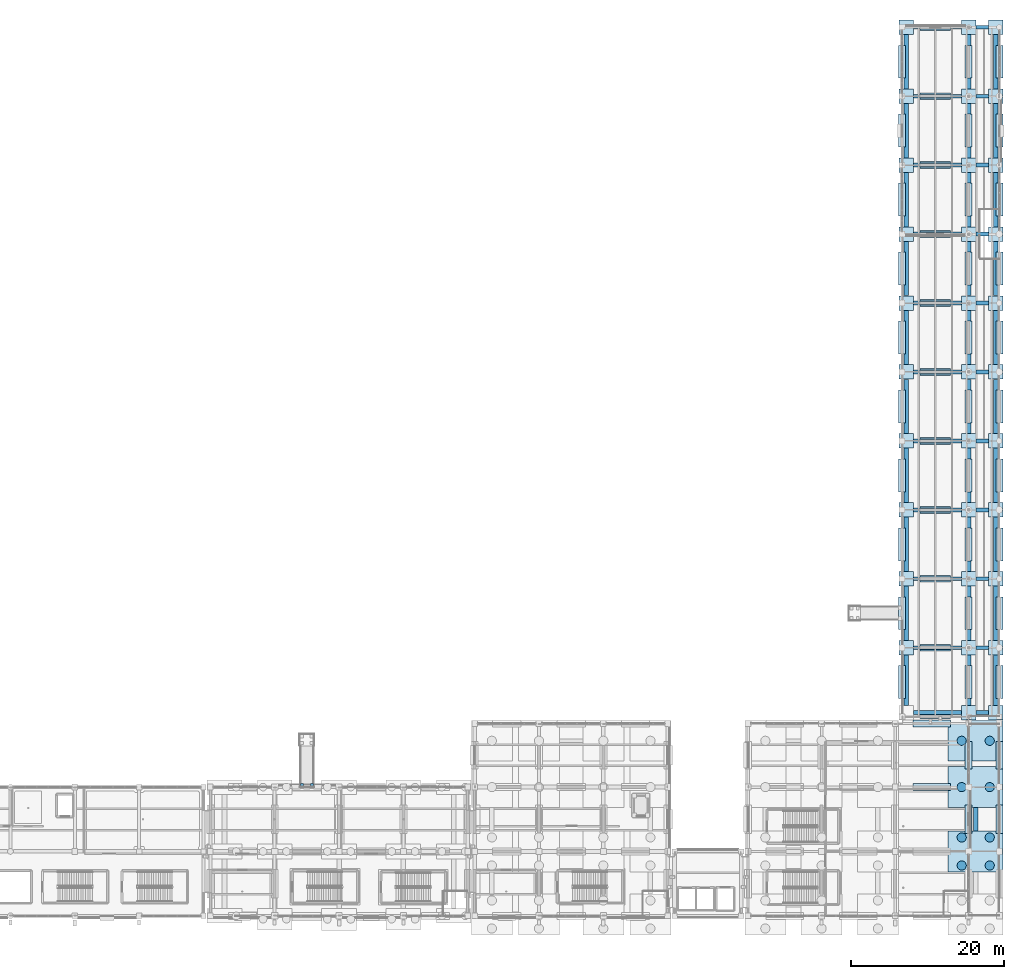
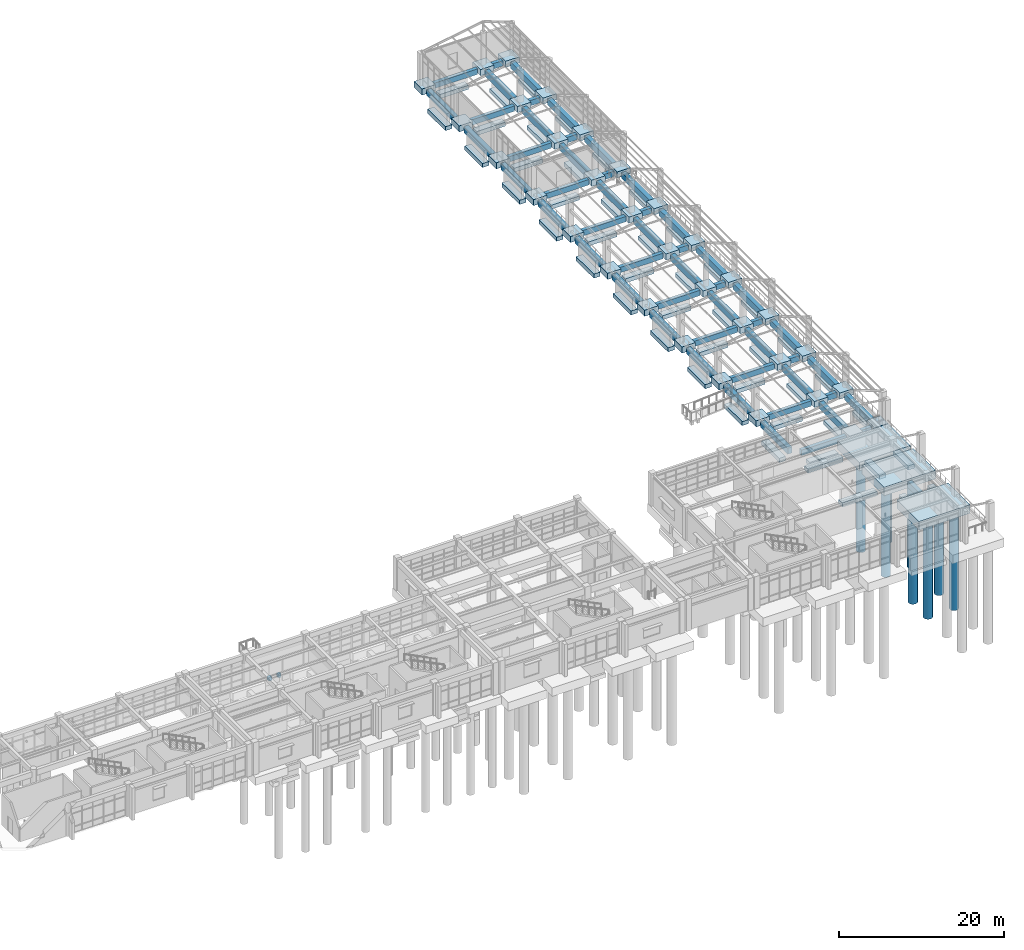
# One storey, part 3 of 111: 137 footings, 8 piles.
"""IFC4 building model written with IfcOpenShell, lengths in metres."""

from ifc_helpers import new_model, si_unit, direction, frame, origin, origin_2d, place, context, subcontext, project, spatial, rectangle, circle, extrude, material, material_profile, profile_set, type_object, element, save


model = new_model("IFC4")

# Units and contexts
model_context = context("Model", 3, precision=1e-05, world=origin(), true_north=direction((0.0, 1.0)))
body_context = subcontext(model_context, "Body", "Model", "MODEL_VIEW")
ifc_project = project(units=[si_unit("LENGTHUNIT", "METRE"), si_unit("AREAUNIT", "SQUARE_METRE"), si_unit("VOLUMEUNIT", "CUBIC_METRE"), si_unit("PLANEANGLEUNIT", "RADIAN"), si_unit("MASSUNIT", "GRAM", prefix="KILO")], contexts=[model_context])

# Site, building, storey
site_placement = place(None, origin())
site = spatial("IfcSite", under=ifc_project, at=site_placement, CompositionType="ELEMENT")
building_placement = place(site_placement, origin())
building = spatial("IfcBuilding", under=site, at=building_placement, Name="Canglan Escarpment Cableway Terminal", CompositionType="ELEMENT")
storey_placement = place(building_placement, frame((0.0, 0.0, 4.800048828125)))
storey = spatial("IfcBuildingStorey", under=building, at=storey_placement, Name="L01", CompositionType="ELEMENT", Elevation=4.800048828125)

# Footings
ifc_material = material(Name="Concrete C40", Category="concrete")
ifc_material_profile_1 = material_profile(ifc_material, rectangle(XDim=0.5, YDim=0.800048828125, at=origin_2d()), Name="FB 500x800")
ifc_profile_set_1 = profile_set([ifc_material_profile_1], Name="Concrete C40")
footing_type_1 = type_object("IfcFootingType", Name="FTG-BEAM-500x800", PredefinedType="FOOTING_BEAM", material=ifc_profile_set_1)
for number, where, z_axis, x_axis, name in (
    (1, (168.781982421875, 34.530029296875, -0.699951171875), (1.0, 0.0, 0.0), (0.0, 1.0, 0.0), "Reinforced concrete ground tie beam FB-01"),
    (2, (168.781982421875, 43.0, -0.699951171875), (1.0, 0.0, 0.0), (0.0, 1.0, 0.0), "Reinforced concrete ground tie beam FB-01"),
    (3, (168.781982421875, 52.0, -0.699951171875), (1.0, 0.0, 0.0), (0.0, 1.0, 0.0), "Reinforced concrete ground tie beam FB-01"),
    (4, (168.781982421875, 61.0, -0.699951171875), (1.0, 0.0, 0.0), (0.0, 1.0, 0.0), "Reinforced concrete ground tie beam FB-01"),
    (5, (168.781982421875, 70.0, -0.699951171875), (1.0, 0.0, 0.0), (0.0, 1.0, 0.0), "Reinforced concrete ground tie beam FB-01"),
    (6, (168.781982421875, 79.0, -0.699951171875), (1.0, 0.0, 0.0), (0.0, 1.0, 0.0), "Reinforced concrete ground tie beam FB-01"),
    (7, (168.781982421875, 88.0, -0.699951171875), (1.0, 0.0, 0.0), (0.0, 1.0, 0.0), "Reinforced concrete ground tie beam FB-01"),
    (8, (168.781982421875, 97.0, -0.699951171875), (1.0, 0.0, 0.0), (0.0, 1.0, 0.0), "Reinforced concrete ground tie beam FB-01"),
    (9, (168.781982421875, 106.0, -0.699951171875), (1.0, 0.0, 0.0), (0.0, 1.0, 0.0), "Reinforced concrete ground tie beam FB-01"),
    (10, (168.781982421875, 115.0, -0.699951171875), (1.0, 0.0, 0.0), (0.0, 1.0, 0.0), "Reinforced concrete ground tie beam FB-01"),
    (11, (168.781982421875, 124.0, -0.699951171875), (1.0, 0.0, 0.0), (0.0, 1.0, 0.0), "Reinforced concrete ground tie beam FB-01"),
):
    element("IfcFooting", number, at=place(storey_placement, frame(where, z_axis=z_axis, x_axis=x_axis)), inside=storey, type_object=footing_type_1, Name=name, PredefinedType="FOOTING_BEAM", context=body_context, shape_type="SweptSolid", body=[
        extrude(rectangle(XDim=0.5, YDim=0.800048828125, at=origin_2d()), origin(), (0.0, 0.0, 1.0), 6.26611328125),
    ])
for number, where, z_axis, x_axis, name in (
    (12, (176.951904296875, 34.530029296875, -0.699951171875), (1.0, 0.0, 0.0), (0.0, 1.0, 0.0), "Reinforced concrete ground tie beam FB-01"),
    (13, (176.951904296875, 43.0, -0.699951171875), (1.0, 0.0, 0.0), (0.0, 1.0, 0.0), "Reinforced concrete ground tie beam FB-01"),
    (14, (176.951904296875, 52.0, -0.699951171875), (1.0, 0.0, 0.0), (0.0, 1.0, 0.0), "Reinforced concrete ground tie beam FB-01"),
    (15, (176.951904296875, 61.0, -0.699951171875), (1.0, 0.0, 0.0), (0.0, 1.0, 0.0), "Reinforced concrete ground tie beam FB-01"),
    (16, (176.951904296875, 70.0, -0.699951171875), (1.0, 0.0, 0.0), (0.0, 1.0, 0.0), "Reinforced concrete ground tie beam FB-01"),
    (17, (176.951904296875, 79.0, -0.699951171875), (1.0, 0.0, 0.0), (0.0, 1.0, 0.0), "Reinforced concrete ground tie beam FB-01"),
    (18, (176.951904296875, 88.0, -0.699951171875), (1.0, 0.0, 0.0), (0.0, 1.0, 0.0), "Reinforced concrete ground tie beam FB-01"),
    (19, (176.951904296875, 97.0, -0.699951171875), (1.0, 0.0, 0.0), (0.0, 1.0, 0.0), "Reinforced concrete ground tie beam FB-01"),
    (20, (176.951904296875, 106.0, -0.699951171875), (1.0, 0.0, 0.0), (0.0, 1.0, 0.0), "Reinforced concrete ground tie beam FB-01"),
    (21, (176.951904296875, 115.0, -0.699951171875), (1.0, 0.0, 0.0), (0.0, 1.0, 0.0), "Reinforced concrete ground tie beam FB-01"),
    (22, (176.951904296875, 124.0, -0.699951171875), (1.0, 0.0, 0.0), (0.0, 1.0, 0.0), "Reinforced concrete ground tie beam FB-01"),
):
    element("IfcFooting", number, at=place(storey_placement, frame(where, z_axis=z_axis, x_axis=x_axis)), inside=storey, type_object=footing_type_1, Name=name, PredefinedType="FOOTING_BEAM", context=body_context, shape_type="SweptSolid", body=[
        extrude(rectangle(XDim=0.5, YDim=0.800048828125, at=origin_2d()), origin(), (0.0, 0.0, 1.0), 1.64599609375),
    ])
ifc_material_profile_2 = material_profile(ifc_material, rectangle(XDim=0.60009765625, YDim=0.89990234375, at=origin_2d()), Name="FB 600x900")
ifc_profile_set_2 = profile_set([ifc_material_profile_2], Name="Concrete C40")
footing_type_2 = type_object("IfcFootingType", Name="FTG-BEAM-600x900", PredefinedType="FOOTING_BEAM", material=ifc_profile_set_2)
footing_1_placement = place(storey_placement, frame((176.9150390625, 19.072021484375, -0.75), z_axis=(0.0, 1.0, 0.0), x_axis=(-1.0, 0.0, 0.0)))
element("IfcFooting", 23, at=footing_1_placement, inside=storey, type_object=footing_type_2, Name="Reinforced concrete ground tie beam FB-02", PredefinedType="FOOTING_BEAM", context=body_context, shape_type="SweptSolid", body=[
    extrude(rectangle(XDim=0.60009765625, YDim=0.89990234375, at=origin_2d()), origin(), (0.0, 0.0, 1.0), 3.055908203125),
])
footing_2_placement = place(storey_placement, frame((167.830078125, 35.48193359375, -0.75), z_axis=(0.0, 1.0, 0.0), x_axis=(-1.0, 0.0, 0.0)))
element("IfcFooting", 24, at=footing_2_placement, inside=storey, type_object=footing_type_2, Name="Reinforced concrete ground tie beam FB-02", PredefinedType="FOOTING_BEAM", context=body_context, shape_type="SweptSolid", body=[
    extrude(rectangle(XDim=0.60009765625, YDim=0.89990234375, at=origin_2d()), origin(), (0.0, 0.0, 1.0), 6.566162109375),
])
for number, where, z_axis, x_axis, name in (
    (25, (167.830078125, 43.951904296875, -0.75), (0.0, 1.0, 0.0), (-1.0, 0.0, 0.0), "Reinforced concrete ground tie beam FB-02"),
    (26, (167.830078125, 52.951904296875, -0.75), (0.0, 1.0, 0.0), (-1.0, 0.0, 0.0), "Reinforced concrete ground tie beam FB-02"),
    (27, (167.830078125, 61.951904296875, -0.75), (0.0, 1.0, 0.0), (-1.0, 0.0, 0.0), "Reinforced concrete ground tie beam FB-02"),
    (28, (167.830078125, 70.951904296875, -0.75), (0.0, 1.0, 0.0), (-1.0, 0.0, 0.0), "Reinforced concrete ground tie beam FB-02"),
    (29, (167.830078125, 79.951904296875, -0.75), (0.0, 1.0, 0.0), (-1.0, 0.0, 0.0), "Reinforced concrete ground tie beam FB-02"),
    (30, (167.830078125, 88.951904296875, -0.75), (0.0, 1.0, 0.0), (-1.0, 0.0, 0.0), "Reinforced concrete ground tie beam FB-02"),
    (31, (167.830078125, 97.951904296875, -0.75), (0.0, 1.0, 0.0), (-1.0, 0.0, 0.0), "Reinforced concrete ground tie beam FB-02"),
    (32, (167.830078125, 106.951904296875, -0.75), (0.0, 1.0, 0.0), (-1.0, 0.0, 0.0), "Reinforced concrete ground tie beam FB-02"),
    (33, (167.830078125, 115.951904296875, -0.75), (0.0, 1.0, 0.0), (-1.0, 0.0, 0.0), "Reinforced concrete ground tie beam FB-02"),
):
    element("IfcFooting", number, at=place(storey_placement, frame(where, z_axis=z_axis, x_axis=x_axis)), inside=storey, type_object=footing_type_2, Name=name, PredefinedType="FOOTING_BEAM", context=body_context, shape_type="SweptSolid", body=[
        extrude(rectangle(XDim=0.60009765625, YDim=0.89990234375, at=origin_2d()), origin(), (0.0, 0.0, 1.0), 7.09619140625),
    ])
footing_3_placement = place(storey_placement, frame((176.0, 35.48193359375, -0.75), z_axis=(0.0, 1.0, 0.0), x_axis=(-1.0, 0.0, 0.0)))
element("IfcFooting", 34, at=footing_3_placement, inside=storey, type_object=footing_type_2, Name="Reinforced concrete ground tie beam FB-02", PredefinedType="FOOTING_BEAM", context=body_context, shape_type="SweptSolid", body=[
    extrude(rectangle(XDim=0.60009765625, YDim=0.89990234375, at=origin_2d()), origin(), (0.0, 0.0, 1.0), 6.566162109375),
])
for number, where, z_axis, x_axis, name in (
    (35, (176.0, 43.951904296875, -0.75), (0.0, 1.0, 0.0), (-1.0, 0.0, 0.0), "Reinforced concrete ground tie beam FB-02"),
    (36, (176.0, 52.951904296875, -0.75), (0.0, 1.0, 0.0), (-1.0, 0.0, 0.0), "Reinforced concrete ground tie beam FB-02"),
    (37, (176.0, 61.951904296875, -0.75), (0.0, 1.0, 0.0), (-1.0, 0.0, 0.0), "Reinforced concrete ground tie beam FB-02"),
    (38, (176.0, 70.951904296875, -0.75), (0.0, 1.0, 0.0), (-1.0, 0.0, 0.0), "Reinforced concrete ground tie beam FB-02"),
    (39, (176.0, 79.951904296875, -0.75), (0.0, 1.0, 0.0), (-1.0, 0.0, 0.0), "Reinforced concrete ground tie beam FB-02"),
    (40, (176.0, 88.951904296875, -0.75), (0.0, 1.0, 0.0), (-1.0, 0.0, 0.0), "Reinforced concrete ground tie beam FB-02"),
    (41, (176.0, 97.951904296875, -0.75), (0.0, 1.0, 0.0), (-1.0, 0.0, 0.0), "Reinforced concrete ground tie beam FB-02"),
    (42, (176.0, 106.951904296875, -0.75), (0.0, 1.0, 0.0), (-1.0, 0.0, 0.0), "Reinforced concrete ground tie beam FB-02"),
    (43, (176.0, 115.951904296875, -0.75), (0.0, 1.0, 0.0), (-1.0, 0.0, 0.0), "Reinforced concrete ground tie beam FB-02"),
):
    element("IfcFooting", number, at=place(storey_placement, frame(where, z_axis=z_axis, x_axis=x_axis)), inside=storey, type_object=footing_type_2, Name=name, PredefinedType="FOOTING_BEAM", context=body_context, shape_type="SweptSolid", body=[
        extrude(rectangle(XDim=0.60009765625, YDim=0.89990234375, at=origin_2d()), origin(), (0.0, 0.0, 1.0), 7.09619140625),
    ])
footing_4_placement = place(storey_placement, frame((179.550048828125, 35.48193359375, -0.75), z_axis=(0.0, 1.0, 0.0), x_axis=(-1.0, 0.0, 0.0)))
element("IfcFooting", 44, at=footing_4_placement, inside=storey, type_object=footing_type_2, Name="Reinforced concrete ground tie beam FB-02", PredefinedType="FOOTING_BEAM", context=body_context, shape_type="SweptSolid", body=[
    extrude(rectangle(XDim=0.60009765625, YDim=0.89990234375, at=origin_2d()), origin(), (0.0, 0.0, 1.0), 6.566162109375),
])
for number, where, z_axis, x_axis, name in (
    (45, (179.550048828125, 43.951904296875, -0.75), (0.0, 1.0, 0.0), (-1.0, 0.0, 0.0), "Reinforced concrete ground tie beam FB-02"),
    (46, (179.550048828125, 52.951904296875, -0.75), (0.0, 1.0, 0.0), (-1.0, 0.0, 0.0), "Reinforced concrete ground tie beam FB-02"),
    (47, (179.550048828125, 61.951904296875, -0.75), (0.0, 1.0, 0.0), (-1.0, 0.0, 0.0), "Reinforced concrete ground tie beam FB-02"),
    (48, (179.550048828125, 70.951904296875, -0.75), (0.0, 1.0, 0.0), (-1.0, 0.0, 0.0), "Reinforced concrete ground tie beam FB-02"),
    (49, (179.550048828125, 79.951904296875, -0.75), (0.0, 1.0, 0.0), (-1.0, 0.0, 0.0), "Reinforced concrete ground tie beam FB-02"),
    (50, (179.550048828125, 88.951904296875, -0.75), (0.0, 1.0, 0.0), (-1.0, 0.0, 0.0), "Reinforced concrete ground tie beam FB-02"),
    (51, (179.550048828125, 97.951904296875, -0.75), (0.0, 1.0, 0.0), (-1.0, 0.0, 0.0), "Reinforced concrete ground tie beam FB-02"),
    (52, (179.550048828125, 106.951904296875, -0.75), (0.0, 1.0, 0.0), (-1.0, 0.0, 0.0), "Reinforced concrete ground tie beam FB-02"),
    (53, (179.550048828125, 115.951904296875, -0.75), (0.0, 1.0, 0.0), (-1.0, 0.0, 0.0), "Reinforced concrete ground tie beam FB-02"),
):
    element("IfcFooting", number, at=place(storey_placement, frame(where, z_axis=z_axis, x_axis=x_axis)), inside=storey, type_object=footing_type_2, Name=name, PredefinedType="FOOTING_BEAM", context=body_context, shape_type="SweptSolid", body=[
        extrude(rectangle(XDim=0.60009765625, YDim=0.89990234375, at=origin_2d()), origin(), (0.0, 0.0, 1.0), 7.09619140625),
    ])
footing_type_3 = type_object("IfcFootingType", Name="FTG-CAP-7170x5340x1260", PredefinedType="PILE_CAP", material=ifc_material)
for number, where, z_axis, x_axis, name in (
    (54, (176.9150390625, 16.39990234375, -1.26025390625), (0.0, 0.0, 1.0), (1.0, 0.0, 0.0), "Reinforced concrete pile cap PC-09"),
    (55, (176.9150390625, 24.800048828125, -1.26025390625), (0.0, 0.0, 1.0), (1.0, 0.0, 0.0), "Reinforced concrete pile cap PC-09"),
    (56, (176.9150390625, 30.85009765625, -1.26025390625), (0.0, 0.0, 1.0), (1.0, 0.0, 0.0), "Reinforced concrete pile cap PC-09"),
):
    element("IfcFooting", number, at=place(storey_placement, frame(where, z_axis=z_axis, x_axis=x_axis)), inside=storey, type_object=footing_type_3, Name=name, PredefinedType="PILE_CAP", context=body_context, shape_type="SweptSolid", body=[
        extrude(rectangle(XDim=7.169921875, YDim=5.340087890625, at=origin_2d()), origin(), (0.0, 0.0, 1.0), 1.260009765625),
    ])
footing_type_4 = type_object("IfcFootingType", Name="FTG-PAD-1900x1900x900", PredefinedType="PAD_FOOTING", material=ifc_material)
for number, where, z_axis, x_axis, name in (
    (57, (167.830078125, 43.0, -0.89990234375), (0.0, 0.0, 1.0), (1.0, 0.0, 0.0), "Reinforced concrete pad footing PF-01"),
    (58, (167.830078125, 52.0, -0.89990234375), (0.0, 0.0, 1.0), (1.0, 0.0, 0.0), "Reinforced concrete pad footing PF-01"),
    (59, (167.830078125, 61.0, -0.89990234375), (0.0, 0.0, 1.0), (1.0, 0.0, 0.0), "Reinforced concrete pad footing PF-01"),
    (60, (167.830078125, 70.0, -0.89990234375), (0.0, 0.0, 1.0), (1.0, 0.0, 0.0), "Reinforced concrete pad footing PF-01"),
    (61, (167.830078125, 79.0, -0.89990234375), (0.0, 0.0, 1.0), (1.0, 0.0, 0.0), "Reinforced concrete pad footing PF-01"),
    (62, (167.830078125, 88.0, -0.89990234375), (0.0, 0.0, 1.0), (1.0, 0.0, 0.0), "Reinforced concrete pad footing PF-01"),
    (63, (167.830078125, 97.0, -0.89990234375), (0.0, 0.0, 1.0), (1.0, 0.0, 0.0), "Reinforced concrete pad footing PF-01"),
    (64, (167.830078125, 106.0, -0.89990234375), (0.0, 0.0, 1.0), (1.0, 0.0, 0.0), "Reinforced concrete pad footing PF-01"),
    (65, (167.830078125, 115.0, -0.89990234375), (0.0, 0.0, 1.0), (1.0, 0.0, 0.0), "Reinforced concrete pad footing PF-01"),
    (66, (167.830078125, 124.0, -0.89990234375), (0.0, 0.0, 1.0), (1.0, 0.0, 0.0), "Reinforced concrete pad footing PF-01"),
    (67, (176.0, 34.530029296875, -0.89990234375), (0.0, 0.0, 1.0), (1.0, 0.0, 0.0), "Reinforced concrete pad footing PF-01"),
    (68, (176.0, 43.0, -0.89990234375), (0.0, 0.0, 1.0), (1.0, 0.0, 0.0), "Reinforced concrete pad footing PF-01"),
    (69, (176.0, 52.0, -0.89990234375), (0.0, 0.0, 1.0), (1.0, 0.0, 0.0), "Reinforced concrete pad footing PF-01"),
    (70, (176.0, 61.0, -0.89990234375), (0.0, 0.0, 1.0), (1.0, 0.0, 0.0), "Reinforced concrete pad footing PF-01"),
    (71, (176.0, 70.0, -0.89990234375), (0.0, 0.0, 1.0), (1.0, 0.0, 0.0), "Reinforced concrete pad footing PF-01"),
    (72, (176.0, 79.0, -0.89990234375), (0.0, 0.0, 1.0), (1.0, 0.0, 0.0), "Reinforced concrete pad footing PF-01"),
    (73, (176.0, 88.0, -0.89990234375), (0.0, 0.0, 1.0), (1.0, 0.0, 0.0), "Reinforced concrete pad footing PF-01"),
    (74, (176.0, 97.0, -0.89990234375), (0.0, 0.0, 1.0), (1.0, 0.0, 0.0), "Reinforced concrete pad footing PF-01"),
    (75, (176.0, 106.0, -0.89990234375), (0.0, 0.0, 1.0), (1.0, 0.0, 0.0), "Reinforced concrete pad footing PF-01"),
    (76, (176.0, 115.0, -0.89990234375), (0.0, 0.0, 1.0), (1.0, 0.0, 0.0), "Reinforced concrete pad footing PF-01"),
    (77, (176.0, 124.0, -0.89990234375), (0.0, 0.0, 1.0), (1.0, 0.0, 0.0), "Reinforced concrete pad footing PF-01"),
    (78, (179.550048828125, 34.530029296875, -0.89990234375), (0.0, 0.0, 1.0), (1.0, 0.0, 0.0), "Reinforced concrete pad footing PF-01"),
    (79, (179.550048828125, 43.0, -0.89990234375), (0.0, 0.0, 1.0), (1.0, 0.0, 0.0), "Reinforced concrete pad footing PF-01"),
    (80, (179.550048828125, 52.0, -0.89990234375), (0.0, 0.0, 1.0), (1.0, 0.0, 0.0), "Reinforced concrete pad footing PF-01"),
    (81, (179.550048828125, 61.0, -0.89990234375), (0.0, 0.0, 1.0), (1.0, 0.0, 0.0), "Reinforced concrete pad footing PF-01"),
    (82, (179.550048828125, 70.0, -0.89990234375), (0.0, 0.0, 1.0), (1.0, 0.0, 0.0), "Reinforced concrete pad footing PF-01"),
    (83, (179.550048828125, 79.0, -0.89990234375), (0.0, 0.0, 1.0), (1.0, 0.0, 0.0), "Reinforced concrete pad footing PF-01"),
    (84, (179.550048828125, 88.0, -0.89990234375), (0.0, 0.0, 1.0), (1.0, 0.0, 0.0), "Reinforced concrete pad footing PF-01"),
    (85, (179.550048828125, 97.0, -0.89990234375), (0.0, 0.0, 1.0), (1.0, 0.0, 0.0), "Reinforced concrete pad footing PF-01"),
    (86, (179.550048828125, 106.0, -0.89990234375), (0.0, 0.0, 1.0), (1.0, 0.0, 0.0), "Reinforced concrete pad footing PF-01"),
    (87, (179.550048828125, 115.0, -0.89990234375), (0.0, 0.0, 1.0), (1.0, 0.0, 0.0), "Reinforced concrete pad footing PF-01"),
    (88, (179.550048828125, 124.0, -0.89990234375), (0.0, 0.0, 1.0), (1.0, 0.0, 0.0), "Reinforced concrete pad footing PF-01"),
):
    element("IfcFooting", number, at=place(storey_placement, frame(where, z_axis=z_axis, x_axis=x_axis)), inside=storey, type_object=footing_type_4, Name=name, PredefinedType="PAD_FOOTING", context=body_context, shape_type="SweptSolid", body=[
        extrude(rectangle(XDim=1.89990234375, YDim=1.89990234375, at=origin_2d()), origin(), (0.0, 0.0, 1.0), 0.89990234375),
    ])
footing_type_5 = type_object("IfcFootingType", Name="FTG-PAD-420x420x550", PredefinedType="PAD_FOOTING", material=ifc_material)
for number, where, z_axis, x_axis, name in (
    (89, (88.949951171875, 25.050048828125, -0.75), (0.0, 0.0, 1.0), (1.0, 0.0, 0.0), "Reinforced concrete auxiliary pad footing PF-13"),
    (90, (90.25, 25.050048828125, -0.75), (0.0, 0.0, 1.0), (1.0, 0.0, 0.0), "Reinforced concrete auxiliary pad footing PF-13"),
):
    element("IfcFooting", number, at=place(storey_placement, frame(where, z_axis=z_axis, x_axis=x_axis)), inside=storey, type_object=footing_type_5, Name=name, PredefinedType="PAD_FOOTING", context=body_context, shape_type="SweptSolid", body=[
        extrude(rectangle(XDim=0.419921875, YDim=0.419921875, at=origin_2d()), origin(), (0.0, 0.0, 1.0), 0.550048828125),
    ])
ifc_material_profile_3 = material_profile(ifc_material, rectangle(XDim=0.89990234375, YDim=0.60009765625, at=origin_2d()), Name="SF 900x600")
ifc_profile_set_3 = profile_set([ifc_material_profile_3], Name="Concrete C40")
footing_type_6 = type_object("IfcFootingType", Name="FTG-STRIP-900x600", PredefinedType="STRIP_FOOTING", material=ifc_profile_set_3)
for number, where, z_axis, x_axis, name in (
    (91, (168.75, 24.800048828125, -2.400146484375), (1.0, 0.0, 0.0), (0.0, 1.0, 0.0), "Bench foundation strip footing SF-F1"),
    (92, (168.75, 33.10009765625, -2.400146484375), (1.0, 0.0, 0.0), (0.0, 1.0, 0.0), "Bench foundation strip footing SF-F1"),
):
    element("IfcFooting", number, at=place(storey_placement, frame(where, z_axis=z_axis, x_axis=x_axis)), inside=storey, type_object=footing_type_6, Name=name, PredefinedType="STRIP_FOOTING", context=body_context, shape_type="SweptSolid", body=[
        extrude(rectangle(XDim=0.89990234375, YDim=0.60009765625, at=origin_2d()), origin(), (0.0, 0.0, 1.0), 4.89990234375),
    ])
footing_5_placement = place(storey_placement, frame((176.0, 18.75, -2.400146484375), z_axis=(0.0, 1.0, 0.0), x_axis=(-1.0, 0.0, 0.0)))
element("IfcFooting", 93, at=footing_5_placement, inside=storey, type_object=footing_type_6, Name="Bench foundation strip footing SF-F1", PredefinedType="STRIP_FOOTING", context=body_context, shape_type="SweptSolid", body=[
    extrude(rectangle(XDim=0.89990234375, YDim=0.60009765625, at=origin_2d()), origin(), (0.0, 0.0, 1.0), 3.699951171875),
])
footing_6_placement = place(storey_placement, frame((176.0, 27.14990234375, -2.400146484375), z_axis=(0.0, 1.0, 0.0), x_axis=(-1.0, 0.0, 0.0)))
element("IfcFooting", 94, at=footing_6_placement, inside=storey, type_object=footing_type_6, Name="Bench foundation strip footing SF-F1", PredefinedType="STRIP_FOOTING", context=body_context, shape_type="SweptSolid", body=[
    extrude(rectangle(XDim=0.89990234375, YDim=0.60009765625, at=origin_2d()), origin(), (0.0, 0.0, 1.0), 3.60009765625),
])
footing_7_placement = place(storey_placement, frame((180.0, 18.75, -2.400146484375), z_axis=(0.0, 1.0, 0.0), x_axis=(-1.0, 0.0, 0.0)))
element("IfcFooting", 95, at=footing_7_placement, inside=storey, type_object=footing_type_6, Name="Bench foundation strip footing SF-F1", PredefinedType="STRIP_FOOTING", context=body_context, shape_type="SweptSolid", body=[
    extrude(rectangle(XDim=0.89990234375, YDim=0.60009765625, at=origin_2d()), origin(), (0.0, 0.0, 1.0), 3.699951171875),
])
footing_8_placement = place(storey_placement, frame((180.0, 27.14990234375, -2.400146484375), z_axis=(0.0, 1.0, 0.0), x_axis=(-1.0, 0.0, 0.0)))
element("IfcFooting", 96, at=footing_8_placement, inside=storey, type_object=footing_type_6, Name="Bench foundation strip footing SF-F1", PredefinedType="STRIP_FOOTING", context=body_context, shape_type="SweptSolid", body=[
    extrude(rectangle(XDim=0.89990234375, YDim=0.60009765625, at=origin_2d()), origin(), (0.0, 0.0, 1.0), 3.60009765625),
])
for number, where, z_axis, x_axis, name in (
    (97, (169.64990234375, 34.219970703125, -2.400146484375), (1.0, 0.0, 0.0), (0.0, 1.0, 0.0), "Bench foundation strip footing SF-F1"),
    (98, (169.64990234375, 43.0, -2.400146484375), (1.0, 0.0, 0.0), (0.0, 1.0, 0.0), "Bench foundation strip footing SF-F1"),
    (99, (169.64990234375, 52.0, -2.400146484375), (1.0, 0.0, 0.0), (0.0, 1.0, 0.0), "Bench foundation strip footing SF-F1"),
    (100, (169.64990234375, 61.0, -2.400146484375), (1.0, 0.0, 0.0), (0.0, 1.0, 0.0), "Bench foundation strip footing SF-F1"),
    (101, (169.64990234375, 70.0, -2.400146484375), (1.0, 0.0, 0.0), (0.0, 1.0, 0.0), "Bench foundation strip footing SF-F1"),
    (102, (169.64990234375, 79.0, -2.400146484375), (1.0, 0.0, 0.0), (0.0, 1.0, 0.0), "Bench foundation strip footing SF-F1"),
    (103, (169.64990234375, 88.0, -2.400146484375), (1.0, 0.0, 0.0), (0.0, 1.0, 0.0), "Bench foundation strip footing SF-F1"),
    (104, (169.64990234375, 97.0, -2.400146484375), (1.0, 0.0, 0.0), (0.0, 1.0, 0.0), "Bench foundation strip footing SF-F1"),
    (105, (169.64990234375, 106.0, -2.400146484375), (1.0, 0.0, 0.0), (0.0, 1.0, 0.0), "Bench foundation strip footing SF-F1"),
    (106, (169.64990234375, 115.0, -2.400146484375), (1.0, 0.0, 0.0), (0.0, 1.0, 0.0), "Bench foundation strip footing SF-F1"),
    (107, (169.64990234375, 124.0, -2.400146484375), (1.0, 0.0, 0.0), (0.0, 1.0, 0.0), "Bench foundation strip footing SF-F1"),
):
    element("IfcFooting", number, at=place(storey_placement, frame(where, z_axis=z_axis, x_axis=x_axis)), inside=storey, type_object=footing_type_6, Name=name, PredefinedType="STRIP_FOOTING", context=body_context, shape_type="SweptSolid", body=[
        extrude(rectangle(XDim=0.89990234375, YDim=0.60009765625, at=origin_2d()), origin(), (0.0, 0.0, 1.0), 4.0),
    ])
for number, where, z_axis, x_axis, name in (
    (108, (167.300048828125, 36.35009765625, -2.400146484375), (0.0, 1.0, 0.0), (-1.0, 0.0, 0.0), "Bench foundation strip footing SF-F1"),
    (109, (167.300048828125, 45.35009765625, -2.400146484375), (0.0, 1.0, 0.0), (-1.0, 0.0, 0.0), "Bench foundation strip footing SF-F1"),
    (110, (167.300048828125, 54.35009765625, -2.400146484375), (0.0, 1.0, 0.0), (-1.0, 0.0, 0.0), "Bench foundation strip footing SF-F1"),
    (111, (167.300048828125, 63.35009765625, -2.400146484375), (0.0, 1.0, 0.0), (-1.0, 0.0, 0.0), "Bench foundation strip footing SF-F1"),
    (112, (167.300048828125, 72.35009765625, -2.400146484375), (0.0, 1.0, 0.0), (-1.0, 0.0, 0.0), "Bench foundation strip footing SF-F1"),
    (113, (167.300048828125, 81.35009765625, -2.400146484375), (0.0, 1.0, 0.0), (-1.0, 0.0, 0.0), "Bench foundation strip footing SF-F1"),
    (114, (167.300048828125, 90.35009765625, -2.400146484375), (0.0, 1.0, 0.0), (-1.0, 0.0, 0.0), "Bench foundation strip footing SF-F1"),
    (115, (167.300048828125, 99.35009765625, -2.400146484375), (0.0, 1.0, 0.0), (-1.0, 0.0, 0.0), "Bench foundation strip footing SF-F1"),
    (116, (167.300048828125, 108.35009765625, -2.400146484375), (0.0, 1.0, 0.0), (-1.0, 0.0, 0.0), "Bench foundation strip footing SF-F1"),
    (117, (167.300048828125, 117.35009765625, -2.400146484375), (0.0, 1.0, 0.0), (-1.0, 0.0, 0.0), "Bench foundation strip footing SF-F1"),
    (118, (176.0, 36.35009765625, -2.400146484375), (0.0, 1.0, 0.0), (-1.0, 0.0, 0.0), "Bench foundation strip footing SF-F1"),
    (119, (176.0, 45.35009765625, -2.400146484375), (0.0, 1.0, 0.0), (-1.0, 0.0, 0.0), "Bench foundation strip footing SF-F1"),
    (120, (176.0, 54.35009765625, -2.400146484375), (0.0, 1.0, 0.0), (-1.0, 0.0, 0.0), "Bench foundation strip footing SF-F1"),
    (121, (176.0, 63.35009765625, -2.400146484375), (0.0, 1.0, 0.0), (-1.0, 0.0, 0.0), "Bench foundation strip footing SF-F1"),
    (122, (176.0, 72.35009765625, -2.400146484375), (0.0, 1.0, 0.0), (-1.0, 0.0, 0.0), "Bench foundation strip footing SF-F1"),
    (123, (176.0, 81.35009765625, -2.400146484375), (0.0, 1.0, 0.0), (-1.0, 0.0, 0.0), "Bench foundation strip footing SF-F1"),
    (124, (176.0, 90.35009765625, -2.400146484375), (0.0, 1.0, 0.0), (-1.0, 0.0, 0.0), "Bench foundation strip footing SF-F1"),
    (125, (176.0, 99.35009765625, -2.400146484375), (0.0, 1.0, 0.0), (-1.0, 0.0, 0.0), "Bench foundation strip footing SF-F1"),
    (126, (176.0, 108.35009765625, -2.400146484375), (0.0, 1.0, 0.0), (-1.0, 0.0, 0.0), "Bench foundation strip footing SF-F1"),
    (127, (176.0, 117.35009765625, -2.400146484375), (0.0, 1.0, 0.0), (-1.0, 0.0, 0.0), "Bench foundation strip footing SF-F1"),
    (128, (180.0, 36.35009765625, -2.400146484375), (0.0, 1.0, 0.0), (-1.0, 0.0, 0.0), "Bench foundation strip footing SF-F1"),
    (129, (180.0, 45.35009765625, -2.400146484375), (0.0, 1.0, 0.0), (-1.0, 0.0, 0.0), "Bench foundation strip footing SF-F1"),
    (130, (180.0, 54.35009765625, -2.400146484375), (0.0, 1.0, 0.0), (-1.0, 0.0, 0.0), "Bench foundation strip footing SF-F1"),
    (131, (180.0, 63.35009765625, -2.400146484375), (0.0, 1.0, 0.0), (-1.0, 0.0, 0.0), "Bench foundation strip footing SF-F1"),
    (132, (180.0, 72.35009765625, -2.400146484375), (0.0, 1.0, 0.0), (-1.0, 0.0, 0.0), "Bench foundation strip footing SF-F1"),
    (133, (180.0, 81.35009765625, -2.400146484375), (0.0, 1.0, 0.0), (-1.0, 0.0, 0.0), "Bench foundation strip footing SF-F1"),
    (134, (180.0, 90.35009765625, -2.400146484375), (0.0, 1.0, 0.0), (-1.0, 0.0, 0.0), "Bench foundation strip footing SF-F1"),
    (135, (180.0, 99.35009765625, -2.400146484375), (0.0, 1.0, 0.0), (-1.0, 0.0, 0.0), "Bench foundation strip footing SF-F1"),
    (136, (180.0, 108.35009765625, -2.400146484375), (0.0, 1.0, 0.0), (-1.0, 0.0, 0.0), "Bench foundation strip footing SF-F1"),
    (137, (180.0, 117.35009765625, -2.400146484375), (0.0, 1.0, 0.0), (-1.0, 0.0, 0.0), "Bench foundation strip footing SF-F1"),
):
    element("IfcFooting", number, at=place(storey_placement, frame(where, z_axis=z_axis, x_axis=x_axis)), inside=storey, type_object=footing_type_6, Name=name, PredefinedType="STRIP_FOOTING", context=body_context, shape_type="SweptSolid", body=[
        extrude(rectangle(XDim=0.89990234375, YDim=0.60009765625, at=origin_2d()), origin(), (0.0, 0.0, 1.0), 4.2998046875),
    ])

# Piles
ifc_material_profile_4 = material_profile(ifc_material, circle(Radius=0.60009765625, at=origin_2d()), Name="BORED PILE D1200")
ifc_profile_set_4 = profile_set([ifc_material_profile_4], Name="Concrete C40")
pile_type = type_object("IfcPileType", Name="PILE-D1200", PredefinedType="BORED", material=ifc_profile_set_4)
for number, where, z_axis, x_axis, name in (
    (138, (175.0849609375, 14.570068359375, -1.16015625), (0.0, 0.0, -1.0), (1.0, 0.0, 0.0), "Rock-socketed bored pile P-04"),
    (139, (175.0849609375, 18.22998046875, -1.16015625), (0.0, 0.0, -1.0), (1.0, 0.0, 0.0), "Rock-socketed bored pile P-04"),
    (140, (178.7451171875, 14.570068359375, -1.16015625), (0.0, 0.0, -1.0), (1.0, 0.0, 0.0), "Rock-socketed bored pile P-04"),
    (141, (178.7451171875, 18.22998046875, -1.16015625), (0.0, 0.0, -1.0), (1.0, 0.0, 0.0), "Rock-socketed bored pile P-04"),
    (142, (175.0849609375, 24.800048828125, -1.16015625), (0.0, 0.0, -1.0), (1.0, 0.0, 0.0), "Rock-socketed bored pile P-04"),
    (143, (178.7451171875, 24.800048828125, -1.16015625), (0.0, 0.0, -1.0), (1.0, 0.0, 0.0), "Rock-socketed bored pile P-04"),
    (144, (175.0849609375, 30.85009765625, -1.16015625), (0.0, 0.0, -1.0), (1.0, 0.0, 0.0), "Rock-socketed bored pile P-04"),
    (145, (178.7451171875, 30.85009765625, -1.16015625), (0.0, 0.0, -1.0), (1.0, 0.0, 0.0), "Rock-socketed bored pile P-04"),
):
    element("IfcPile", number, at=place(storey_placement, frame(where, z_axis=z_axis, x_axis=x_axis)), inside=storey, type_object=pile_type, Name=name, PredefinedType="BORED", context=body_context, shape_type="SweptSolid", body=[
        extrude(circle(Radius=0.60009765625, at=origin_2d()), origin(), (0.0, 0.0, 1.0), 14.0),
    ])

save(model, "model.ifc")
